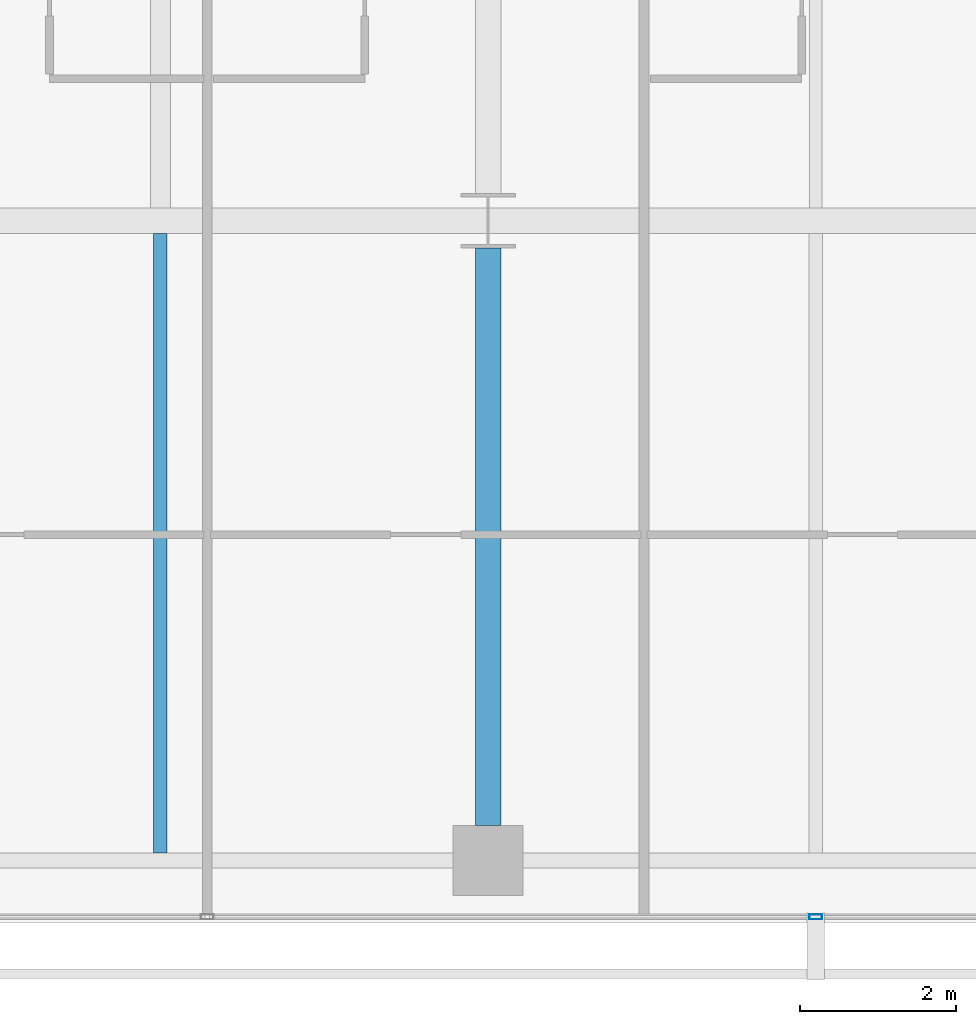
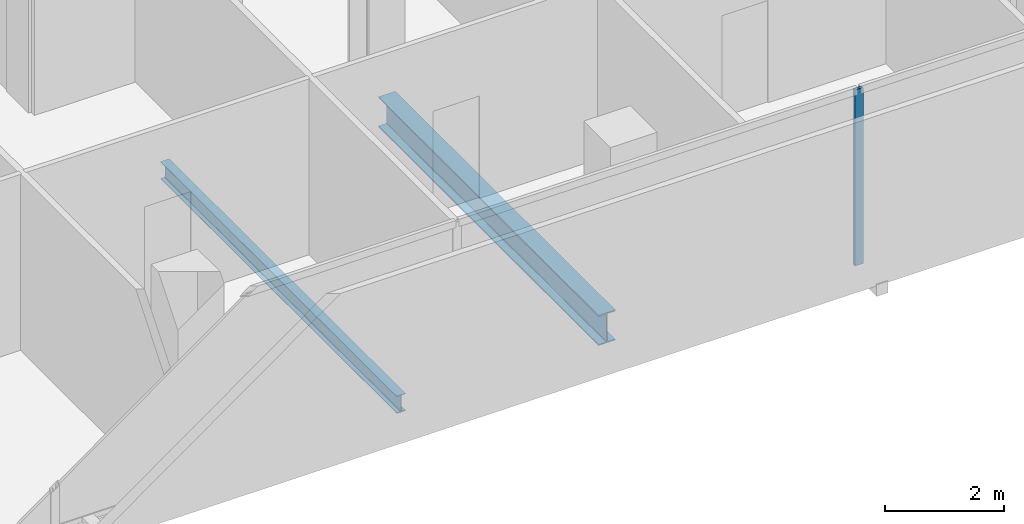
# One storey, part 8 of 40: 2 beams, 1 member, 1 element without a shape of its own.
"""IFC4 building model written with IfcOpenShell, lengths in metres."""

from ifc_helpers import new_model, si_unit, direction, frame, origin, origin_2d, place, context, subcontext, project, spatial, hollow_rectangle, i_section, extrude, material, layer, layer_set, material_profile, profile_set, type_object, element, aggregate, save


model = new_model("IFC4")

# Units and contexts
model_context = context("Model", 3, precision=1e-05, world=origin(), true_north=direction((0.0, 1.0)))
body_context = subcontext(model_context, "Body", "Model", "MODEL_VIEW")
ifc_project = project(units=[si_unit("LENGTHUNIT", "METRE"), si_unit("AREAUNIT", "SQUARE_METRE"), si_unit("VOLUMEUNIT", "CUBIC_METRE"), si_unit("PLANEANGLEUNIT", "RADIAN"), si_unit("MASSUNIT", "GRAM", prefix="KILO")], contexts=[model_context])

# Site, building, storey
site_placement = place(None, origin())
site = spatial("IfcSite", under=ifc_project, at=site_placement, CompositionType="ELEMENT")
building_placement = place(site_placement, origin())
building = spatial("IfcBuilding", under=site, at=building_placement, Name="Maruvema Waterfront Hotel and Observation Tower", CompositionType="ELEMENT")
storey_placement = place(building_placement, frame((0.0, 0.0, 53.89990234375)))
storey = spatial("IfcBuildingStorey", under=building, at=storey_placement, Name="L12", CompositionType="ELEMENT", Elevation=53.89990234375)

# Curtain wall, member
ifc_material_1 = material(Name="Anodised bronze aluminium and solar-control low-E IGU", Category="aluminium")
ifc_layer = layer(ifc_material_1, 0.159912109375, Name="Zone 1 Bronze Inner Thermal Curtain Wall System CW-02")
ifc_layer_set = layer_set([ifc_layer], Name="Anodised bronze aluminium and solar-control low-E IGU")
curtain_wall_type = type_object("IfcCurtainWallType", Name="Zone 1 Bronze Inner Thermal Curtain Wall System CW-02", PredefinedType="USERDEFINED", material=ifc_layer_set)
curtain_wall_placement = place(storey_placement, origin())
curtain_wall = element("IfcCurtainWall", 1, at=curtain_wall_placement, inside=storey, type_object=curtain_wall_type, Name="L12 Curtain Wall CW-L12-S", ObjectType="UNITISED CURTAIN WALL", PredefinedType="USERDEFINED")
ifc_material_2 = material(Name="Anodised architectural bronze aluminium", Category="aluminium")
ifc_material_profile_1 = material_profile(ifc_material_2, hollow_rectangle(XDim=0.06494140625, YDim=0.1650390625, WallThickness=0.00390625, at=origin_2d()), Name="ALU-M65x165")
ifc_profile_set_1 = profile_set([ifc_material_profile_1], Name="Anodised architectural bronze aluminium")
member_type = type_object("IfcMemberType", Name="Curtain Wall Primary Mullion ALU-M65x165", PredefinedType="MULLION", material=ifc_profile_set_1)
member_placement = place(storey_placement, frame((37.800048828125, 0.080078125, 0.0), z_axis=(0.0, 0.0, 1.0), x_axis=(0.0, 1.0, 0.0)))
member = element("IfcMember", 2, at=member_placement, type_object=member_type, Name="CW-02 mullion 4", PredefinedType="MULLION", context=body_context, shape_type="SweptSolid", body=[
    extrude(hollow_rectangle(XDim=0.06494140625, YDim=0.1650390625, WallThickness=0.00390625, at=origin_2d()), origin(), (0.0, 0.0, 1.0), 3.610107421875),
])
aggregate(curtain_wall, [member])

# Beams
ifc_material_3 = material(Name="Steel ASTM A572 Grade 50", Category="steel")
ifc_material_profile_2 = material_profile(ifc_material_3, i_section(OverallWidth=0.326904296875, OverallDepth=0.6220703125, WebThickness=0.015380859375, FlangeThickness=0.0244140625, FilletRadius=0.01806640625, at=origin_2d()), Name="W610x195.0")
ifc_profile_set_2 = profile_set([ifc_material_profile_2], Name="Steel ASTM A572 Grade 50")
beam_type_1 = type_object("IfcBeamType", Name="Primary Floor Girder W610x195.0", PredefinedType="BEAM", material=ifc_profile_set_2)
beam_1_placement = place(storey_placement, frame((33.60009765625, 1.25, -0.55078125), z_axis=(0.0, 1.0, 0.0), x_axis=(-1.0, 0.0, 0.0)))
element("IfcBeam", 3, at=beam_1_placement, inside=storey, type_object=beam_type_1, Name="L12 Floor Girder NS-16", PredefinedType="BEAM", context=body_context, shape_type="SweptSolid", body=[
    extrude(i_section(OverallWidth=0.326904296875, OverallDepth=0.6220703125, WebThickness=0.015380859375, FlangeThickness=0.0244140625, FilletRadius=0.01806640625, at=origin_2d()), origin(), (0.0, 0.0, 1.0), 7.39990234375),
])
ifc_material_4 = material(Name="Steel ASTM A572 Grade 50", Category="steel")
ifc_material_profile_3 = material_profile(ifc_material_4, i_section(OverallWidth=0.1708984375, OverallDepth=0.35498046875, WebThickness=0.007080078125, FlangeThickness=0.01171875, FilletRadius=0.014892578125, at=origin_2d()), Name="W360x51.0")
ifc_profile_set_3 = profile_set([ifc_material_profile_3], Name="Steel ASTM A572 Grade 50")
beam_type_2 = type_object("IfcBeamType", Name="Secondary Floor Joist W360x51.0", PredefinedType="JOIST", material=ifc_profile_set_3)
beam_2_placement = place(storey_placement, frame((29.39990234375, 0.89501953125, -0.41748046875), z_axis=(0.0, 1.0, 0.0), x_axis=(-1.0, 0.0, 0.0)))
element("IfcBeam", 4, at=beam_2_placement, inside=storey, type_object=beam_type_2, Name="L12 Secondary Floor Joist JS-10", PredefinedType="JOIST", context=body_context, shape_type="SweptSolid", body=[
    extrude(i_section(OverallWidth=0.1708984375, OverallDepth=0.35498046875, WebThickness=0.007080078125, FlangeThickness=0.01171875, FilletRadius=0.014892578125, at=origin_2d()), origin(), (0.0, 0.0, 1.0), 7.94140625),
])

save(model, "model.ifc")
